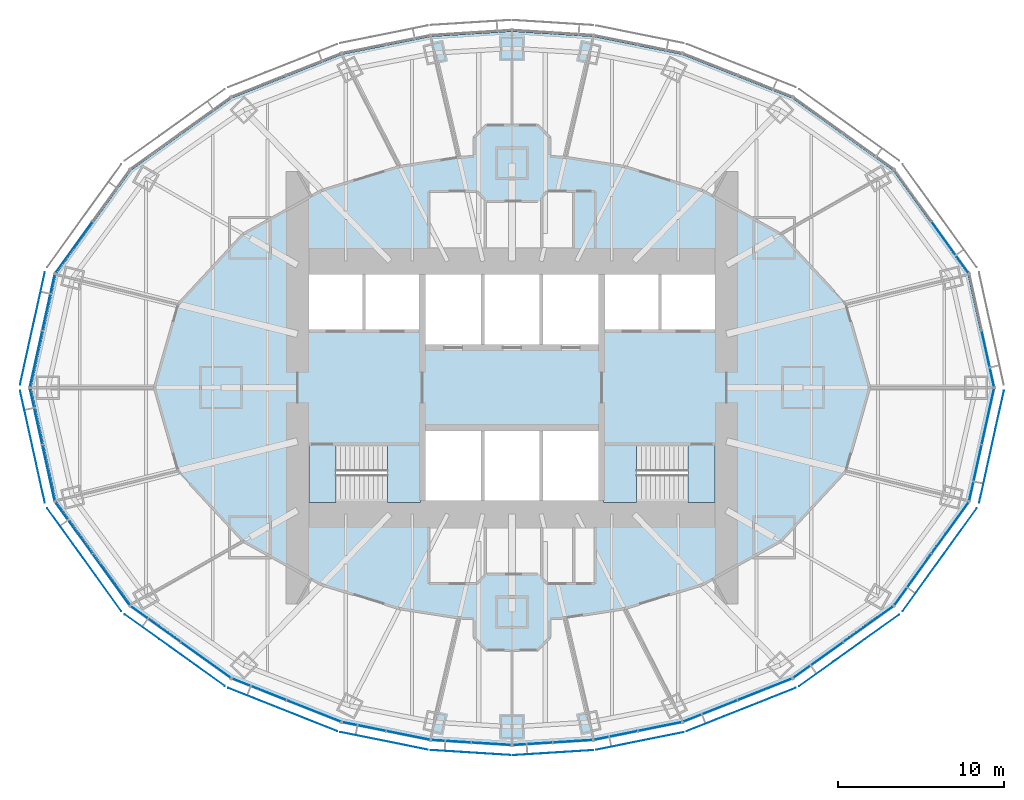
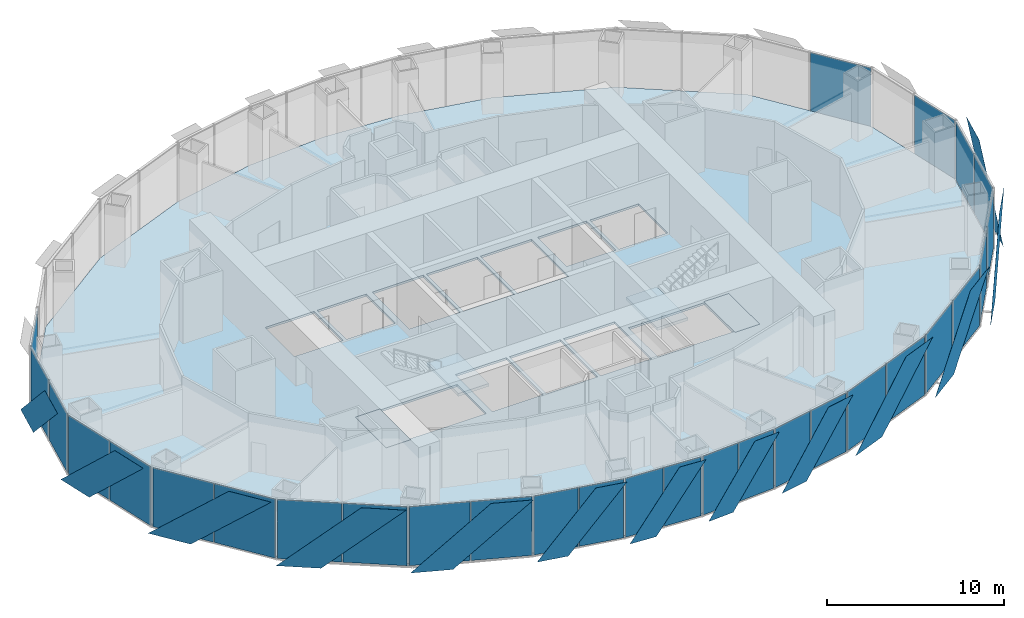
# One storey, part 9 of 17: 42 plates, 5 slabs, 18 elements without a shape of their own.
"""IFC4 building model written with IfcOpenShell, lengths in metres."""

from ifc_helpers import new_model, si_unit, direction, frame, origin, origin_2d, place, context, subcontext, project, spatial, polyline, rectangle, outline, extrude, material, layer, layer_set, type_object, element, aggregate, save


model = new_model("IFC4")

# Units and contexts
model_context = context("Model", 3, precision=1e-05, world=origin(), true_north=direction((0.0, 1.0)))
body_context = subcontext(model_context, "Body", "Model", "MODEL_VIEW")
ifc_project = project(units=[si_unit("LENGTHUNIT", "METRE"), si_unit("AREAUNIT", "SQUARE_METRE"), si_unit("VOLUMEUNIT", "CUBIC_METRE"), si_unit("PLANEANGLEUNIT", "RADIAN"), si_unit("MASSUNIT", "GRAM", prefix="KILO")], contexts=[model_context])

# Site, building, storey
site_placement = place(None, origin())
site = spatial("IfcSite", under=ifc_project, at=site_placement, CompositionType="ELEMENT")
building_placement = place(site_placement, origin())
building = spatial("IfcBuilding", under=site, at=building_placement, Name="Lantaw Convention Tower", CompositionType="ELEMENT")
storey_placement = place(building_placement, frame((0.0, 0.0, 159.39990234375)))
storey = spatial("IfcBuildingStorey", under=building, at=storey_placement, Name="L37", CompositionType="ELEMENT", Elevation=159.39990234375)

# Curtain wall, plate
ifc_material_1 = material(Name="Aluminium framed curtain wall", Category="aluminium")
curtain_wall_type = type_object("IfcCurtainWallType", Name="Office curtain wall low rise, pale aluminium", PredefinedType="USERDEFINED", material=ifc_material_1)
curtain_wall_1_placement = place(storey_placement, origin())
curtain_wall_1 = element("IfcCurtainWall", 1, at=curtain_wall_1_placement, inside=storey, type_object=curtain_wall_type, Name="Office curtain wall low rise, pale aluminium L37", ObjectType="UNITISED CURTAIN WALL", PredefinedType="USERDEFINED")
ifc_material_2 = material(Name="Clear insulating glass", Category="glass")
ifc_layer_1 = layer(ifc_material_2, 0.028076171875)
ifc_layer_set_1 = layer_set([ifc_layer_1], Name="CW-O1 panel 28")
plate_type_1 = type_object("IfcPlateType", Name="CW-O1 panel 28", PredefinedType="CURTAIN_PANEL", material=ifc_layer_set_1)
plate_1_placement = place(storey_placement, frame((28.618408203125, 1.729248046875, -0.0849609375), z_axis=(0.0, 0.0, 1.0), x_axis=(-0.215546166174, 0.9764936509, 0.0)))
plate_1 = element("IfcPlate", 2, at=plate_1_placement, type_object=plate_type_1, Name="CW-O1 panel 1.1", PredefinedType="CURTAIN_PANEL", context=body_context, shape_type="SweptSolid", body=[
    extrude(rectangle(XDim=3.41162109375, YDim=0.028076171875, at=origin_2d()), origin(), (0.0, 0.0, 1.0), 4.070068359375),
])
aggregate(curtain_wall_1, [plate_1])

curtain_wall_2_placement = place(storey_placement, origin())
curtain_wall_2 = element("IfcCurtainWall", 3, at=curtain_wall_2_placement, inside=storey, type_object=curtain_wall_type, Name="Office curtain wall low rise, pale aluminium L37", ObjectType="UNITISED CURTAIN WALL", PredefinedType="USERDEFINED")
plate_2_placement = place(storey_placement, frame((26.34814453125, 8.4345703125, -0.0849609375), z_axis=(0.0, 0.0, 1.0), x_axis=(-0.584512597221, 0.811384633629, 0.0)))
plate_2 = element("IfcPlate", 4, at=plate_2_placement, type_object=plate_type_1, Name="CW-O1 panel 1.1", PredefinedType="CURTAIN_PANEL", context=body_context, shape_type="SweptSolid", body=[
    extrude(rectangle(XDim=3.767333984375, YDim=0.028076171875, at=origin_2d()), origin(), (0.0, 0.0, 1.0), 4.070068359375),
])
aggregate(curtain_wall_2, [plate_2])

curtain_wall_3_placement = place(storey_placement, origin())
curtain_wall_3 = element("IfcCurtainWall", 5, at=curtain_wall_3_placement, inside=storey, type_object=curtain_wall_type, Name="Office curtain wall low rise, pale aluminium L37", ObjectType="UNITISED CURTAIN WALL", PredefinedType="USERDEFINED")
plate_3_placement = place(storey_placement, frame((-26.34814453125, 8.4345703125, -0.0849609375), z_axis=(0.0, 0.0, 1.0), x_axis=(-0.584512597221, -0.811384633629, 0.0)))
plate_3 = element("IfcPlate", 6, at=plate_3_placement, type_object=plate_type_1, Name="CW-O1 panel 2.1", PredefinedType="CURTAIN_PANEL", context=body_context, shape_type="SweptSolid", body=[
    extrude(rectangle(XDim=3.767333984375, YDim=0.028076171875, at=origin_2d()), origin(), (0.0, 0.0, 1.0), 4.070068359375),
])
aggregate(curtain_wall_3, [plate_3])

# Curtain wall, plates
curtain_wall_4_placement = place(storey_placement, origin())
curtain_wall_4 = element("IfcCurtainWall", 7, at=curtain_wall_4_placement, inside=storey, type_object=curtain_wall_type, Name="Office curtain wall low rise, pale aluminium L37", ObjectType="UNITISED CURTAIN WALL", PredefinedType="USERDEFINED")
plate_4_placement = place(storey_placement, frame((-27.868896484375, 5.1240234375, -0.0849609375), z_axis=(0.0, 0.0, 1.0), x_axis=(-0.215546166174, -0.9764936509, 0.0)))
plate_4 = element("IfcPlate", 8, at=plate_4_placement, type_object=plate_type_1, Name="CW-O1 panel 1.1", PredefinedType="CURTAIN_PANEL", context=body_context, shape_type="SweptSolid", body=[
    extrude(rectangle(XDim=3.41162109375, YDim=0.028076171875, at=origin_2d()), origin(), (0.0, 0.0, 1.0), 4.070068359375),
])
plate_5_placement = place(storey_placement, frame((-28.618408203125, 1.729248046875, -0.0849609375), z_axis=(0.0, 0.0, 1.0), x_axis=(-0.215546166174, -0.9764936509, 0.0)))
plate_5 = element("IfcPlate", 9, at=plate_5_placement, type_object=plate_type_1, Name="CW-O1 panel 2.1", PredefinedType="CURTAIN_PANEL", context=body_context, shape_type="SweptSolid", body=[
    extrude(rectangle(XDim=3.41162109375, YDim=0.028076171875, at=origin_2d()), origin(), (0.0, 0.0, 1.0), 4.070068359375),
])
aggregate(curtain_wall_4, [plate_4, plate_5])

curtain_wall_5_placement = place(storey_placement, origin())
curtain_wall_5 = element("IfcCurtainWall", 10, at=curtain_wall_5_placement, inside=storey, type_object=curtain_wall_type, Name="Office curtain wall low rise, pale aluminium L37", ObjectType="UNITISED CURTAIN WALL", PredefinedType="USERDEFINED")
plate_6_placement = place(storey_placement, frame((-28.618408203125, -1.729248046875, -0.0849609375), z_axis=(0.0, 0.0, 1.0), x_axis=(0.215546166174, -0.9764936509, 0.0)))
plate_6 = element("IfcPlate", 11, at=plate_6_placement, type_object=plate_type_1, Name="CW-O1 panel 1.1", PredefinedType="CURTAIN_PANEL", context=body_context, shape_type="SweptSolid", body=[
    extrude(rectangle(XDim=3.41162109375, YDim=0.028076171875, at=origin_2d()), origin(), (0.0, 0.0, 1.0), 4.070068359375),
])
plate_7_placement = place(storey_placement, frame((-27.868896484375, -5.1240234375, -0.0849609375), z_axis=(0.0, 0.0, 1.0), x_axis=(0.215546166174, -0.9764936509, 0.0)))
plate_7 = element("IfcPlate", 12, at=plate_7_placement, type_object=plate_type_1, Name="CW-O1 panel 2.1", PredefinedType="CURTAIN_PANEL", context=body_context, shape_type="SweptSolid", body=[
    extrude(rectangle(XDim=3.41162109375, YDim=0.028076171875, at=origin_2d()), origin(), (0.0, 0.0, 1.0), 4.070068359375),
])
aggregate(curtain_wall_5, [plate_6, plate_7])

curtain_wall_6_placement = place(storey_placement, origin())
curtain_wall_6 = element("IfcCurtainWall", 13, at=curtain_wall_6_placement, inside=storey, type_object=curtain_wall_type, Name="Office curtain wall low rise, pale aluminium L37", ObjectType="UNITISED CURTAIN WALL", PredefinedType="USERDEFINED")
plate_8_placement = place(storey_placement, frame((-26.34814453125, -8.4345703125, -0.0849609375), z_axis=(0.0, 0.0, 1.0), x_axis=(0.584512597221, -0.811384633629, 0.0)))
plate_8 = element("IfcPlate", 14, at=plate_8_placement, type_object=plate_type_1, Name="CW-O1 panel 1.1", PredefinedType="CURTAIN_PANEL", context=body_context, shape_type="SweptSolid", body=[
    extrude(rectangle(XDim=3.767333984375, YDim=0.028076171875, at=origin_2d()), origin(), (0.0, 0.0, 1.0), 4.070068359375),
])
plate_9_placement = place(storey_placement, frame((-24.108154296875, -11.5439453125, -0.0849609375), z_axis=(0.0, 0.0, 1.0), x_axis=(0.584512597221, -0.811384633629, 0.0)))
plate_9 = element("IfcPlate", 15, at=plate_9_placement, type_object=plate_type_1, Name="CW-O1 panel 2.1", PredefinedType="CURTAIN_PANEL", context=body_context, shape_type="SweptSolid", body=[
    extrude(rectangle(XDim=3.767333984375, YDim=0.028076171875, at=origin_2d()), origin(), (0.0, 0.0, 1.0), 4.070068359375),
])
aggregate(curtain_wall_6, [plate_8, plate_9])

curtain_wall_7_placement = place(storey_placement, origin())
curtain_wall_7 = element("IfcCurtainWall", 16, at=curtain_wall_7_placement, inside=storey, type_object=curtain_wall_type, Name="Office curtain wall low rise, pale aluminium L37", ObjectType="UNITISED CURTAIN WALL", PredefinedType="USERDEFINED")
plate_10_placement = place(storey_placement, frame((-21.43408203125, -14.2236328125, -0.0849609375), z_axis=(0.0, 0.0, 1.0), x_axis=(0.813208325995, -0.581972695693, 0.0)))
plate_10 = element("IfcPlate", 17, at=plate_10_placement, type_object=plate_type_1, Name="CW-O1 panel 1.1", PredefinedType="CURTAIN_PANEL", context=body_context, shape_type="SweptSolid", body=[
    extrude(rectangle(XDim=3.645263671875, YDim=0.028076171875, at=origin_2d()), origin(), (0.0, 0.0, 1.0), 4.070068359375),
])
plate_11_placement = place(storey_placement, frame((-18.416748046875, -16.383056640625, -0.0849609375), z_axis=(0.0, 0.0, 1.0), x_axis=(0.813208325995, -0.581972695693, 0.0)))
plate_11 = element("IfcPlate", 18, at=plate_11_placement, type_object=plate_type_1, Name="CW-O1 panel 2.1", PredefinedType="CURTAIN_PANEL", context=body_context, shape_type="SweptSolid", body=[
    extrude(rectangle(XDim=3.645263671875, YDim=0.028076171875, at=origin_2d()), origin(), (0.0, 0.0, 1.0), 4.070068359375),
])
aggregate(curtain_wall_7, [plate_10, plate_11])

curtain_wall_8_placement = place(storey_placement, origin())
curtain_wall_8 = element("IfcCurtainWall", 19, at=curtain_wall_8_placement, inside=storey, type_object=curtain_wall_type, Name="Office curtain wall low rise, pale aluminium L37", ObjectType="UNITISED CURTAIN WALL", PredefinedType="USERDEFINED")
plate_12_placement = place(storey_placement, frame((-15.208251953125, -18.145263671875, -0.0849609375), z_axis=(0.0, 0.0, 1.0), x_axis=(0.929547687544, -0.368701907483, 0.0)))
plate_12 = element("IfcPlate", 20, at=plate_12_placement, type_object=plate_type_1, Name="CW-O1 panel 1.1", PredefinedType="CURTAIN_PANEL", context=body_context, shape_type="SweptSolid", body=[
    extrude(rectangle(XDim=3.470703125, YDim=0.028076171875, at=origin_2d()), origin(), (0.0, 0.0, 1.0), 4.070068359375),
])
plate_13_placement = place(storey_placement, frame((-11.921630859375, -19.448974609375, -0.0849609375), z_axis=(0.0, 0.0, 1.0), x_axis=(0.929547687544, -0.368701907483, 0.0)))
plate_13 = element("IfcPlate", 21, at=plate_13_placement, type_object=plate_type_1, Name="CW-O1 panel 2.1", PredefinedType="CURTAIN_PANEL", context=body_context, shape_type="SweptSolid", body=[
    extrude(rectangle(XDim=3.470703125, YDim=0.028076171875, at=origin_2d()), origin(), (0.0, 0.0, 1.0), 4.070068359375),
])
aggregate(curtain_wall_8, [plate_12, plate_13])

curtain_wall_9_placement = place(storey_placement, origin())
curtain_wall_9 = element("IfcCurtainWall", 22, at=curtain_wall_9_placement, inside=storey, type_object=curtain_wall_type, Name="Office curtain wall low rise, pale aluminium L37", ObjectType="UNITISED CURTAIN WALL", PredefinedType="USERDEFINED")
plate_14_placement = place(storey_placement, frame((-8.893310546875, -20.3857421875, -0.0849609375), z_axis=(0.0, 0.0, 1.0), x_axis=(0.980301514912, -0.197506809659, 0.0)))
plate_14 = element("IfcPlate", 23, at=plate_14_placement, type_object=plate_type_1, Name="CW-O1 panel 1.1", PredefinedType="CURTAIN_PANEL", context=body_context, shape_type="SweptSolid", body=[
    extrude(rectangle(XDim=2.634033203125, YDim=0.028076171875, at=origin_2d()), origin(), (0.0, 0.0, 1.0), 4.070068359375),
])
plate_15_placement = place(storey_placement, frame((-6.247314453125, -20.9189453125, -0.0849609375), z_axis=(0.0, 0.0, 1.0), x_axis=(0.980301514912, -0.197506809659, 0.0)))
plate_15 = element("IfcPlate", 24, at=plate_15_placement, type_object=plate_type_1, Name="CW-O1 panel 2.1", PredefinedType="CURTAIN_PANEL", context=body_context, shape_type="SweptSolid", body=[
    extrude(rectangle(XDim=2.634033203125, YDim=0.028076171875, at=origin_2d()), origin(), (0.0, 0.0, 1.0), 4.070068359375),
])
aggregate(curtain_wall_9, [plate_14, plate_15])

curtain_wall_10_placement = place(storey_placement, origin())
curtain_wall_10 = element("IfcCurtainWall", 25, at=curtain_wall_10_placement, inside=storey, type_object=curtain_wall_type, Name="Office curtain wall low rise, pale aluminium L37", ObjectType="UNITISED CURTAIN WALL", PredefinedType="USERDEFINED")
plate_16_placement = place(storey_placement, frame((-3.653076171875, -21.269775390625, -0.0849609375), z_axis=(0.0, 0.0, 1.0), x_axis=(0.998022035978, -0.062865059466, 0.0)))
plate_16 = element("IfcPlate", 26, at=plate_16_placement, type_object=plate_type_1, Name="CW-O1 panel 1.1", PredefinedType="CURTAIN_PANEL", context=body_context, shape_type="SweptSolid", body=[
    extrude(rectangle(XDim=2.353515625, YDim=0.028076171875, at=origin_2d()), origin(), (0.0, 0.0, 1.0), 4.070068359375),
])
plate_17_placement = place(storey_placement, frame((-1.2392578125, -21.421875, -0.0849609375), z_axis=(0.0, 0.0, 1.0), x_axis=(0.998022035978, -0.062865059466, 0.0)))
plate_17 = element("IfcPlate", 27, at=plate_17_placement, type_object=plate_type_1, Name="CW-O1 panel 2.1", PredefinedType="CURTAIN_PANEL", context=body_context, shape_type="SweptSolid", body=[
    extrude(rectangle(XDim=2.353515625, YDim=0.028076171875, at=origin_2d()), origin(), (0.0, 0.0, 1.0), 4.070068359375),
])
aggregate(curtain_wall_10, [plate_16, plate_17])

curtain_wall_11_placement = place(storey_placement, origin())
curtain_wall_11 = element("IfcCurtainWall", 28, at=curtain_wall_11_placement, inside=storey, type_object=curtain_wall_type, Name="Office curtain wall low rise, pale aluminium L37", ObjectType="UNITISED CURTAIN WALL", PredefinedType="USERDEFINED")
plate_18_placement = place(storey_placement, frame((1.2392578125, -21.421875, -0.0849609375), z_axis=(0.0, 0.0, 1.0), x_axis=(0.998022035978, 0.062865059466, 0.0)))
plate_18 = element("IfcPlate", 29, at=plate_18_placement, type_object=plate_type_1, Name="CW-O1 panel 1.1", PredefinedType="CURTAIN_PANEL", context=body_context, shape_type="SweptSolid", body=[
    extrude(rectangle(XDim=2.353515625, YDim=0.028076171875, at=origin_2d()), origin(), (0.0, 0.0, 1.0), 4.070068359375),
])
plate_19_placement = place(storey_placement, frame((3.653076171875, -21.269775390625, -0.0849609375), z_axis=(0.0, 0.0, 1.0), x_axis=(0.998022035978, 0.062865059466, 0.0)))
plate_19 = element("IfcPlate", 30, at=plate_19_placement, type_object=plate_type_1, Name="CW-O1 panel 2.1", PredefinedType="CURTAIN_PANEL", context=body_context, shape_type="SweptSolid", body=[
    extrude(rectangle(XDim=2.353515625, YDim=0.028076171875, at=origin_2d()), origin(), (0.0, 0.0, 1.0), 4.070068359375),
])
aggregate(curtain_wall_11, [plate_18, plate_19])

curtain_wall_12_placement = place(storey_placement, origin())
curtain_wall_12 = element("IfcCurtainWall", 31, at=curtain_wall_12_placement, inside=storey, type_object=curtain_wall_type, Name="Office curtain wall low rise, pale aluminium L37", ObjectType="UNITISED CURTAIN WALL", PredefinedType="USERDEFINED")
plate_20_placement = place(storey_placement, frame((6.247314453125, -20.9189453125, -0.0849609375), z_axis=(0.0, 0.0, 1.0), x_axis=(0.980301514912, 0.197506809659, 0.0)))
plate_20 = element("IfcPlate", 32, at=plate_20_placement, type_object=plate_type_1, Name="CW-O1 panel 1.1", PredefinedType="CURTAIN_PANEL", context=body_context, shape_type="SweptSolid", body=[
    extrude(rectangle(XDim=2.634033203125, YDim=0.028076171875, at=origin_2d()), origin(), (0.0, 0.0, 1.0), 4.070068359375),
])
plate_21_placement = place(storey_placement, frame((8.893310546875, -20.3857421875, -0.0849609375), z_axis=(0.0, 0.0, 1.0), x_axis=(0.980301514912, 0.197506809659, 0.0)))
plate_21 = element("IfcPlate", 33, at=plate_21_placement, type_object=plate_type_1, Name="CW-O1 panel 2.1", PredefinedType="CURTAIN_PANEL", context=body_context, shape_type="SweptSolid", body=[
    extrude(rectangle(XDim=2.634033203125, YDim=0.028076171875, at=origin_2d()), origin(), (0.0, 0.0, 1.0), 4.070068359375),
])
aggregate(curtain_wall_12, [plate_20, plate_21])

curtain_wall_13_placement = place(storey_placement, origin())
curtain_wall_13 = element("IfcCurtainWall", 34, at=curtain_wall_13_placement, inside=storey, type_object=curtain_wall_type, Name="Office curtain wall low rise, pale aluminium L37", ObjectType="UNITISED CURTAIN WALL", PredefinedType="USERDEFINED")
plate_22_placement = place(storey_placement, frame((11.921630859375, -19.448974609375, -0.0849609375), z_axis=(0.0, 0.0, 1.0), x_axis=(0.929547687544, 0.368701907483, 0.0)))
plate_22 = element("IfcPlate", 35, at=plate_22_placement, type_object=plate_type_1, Name="CW-O1 panel 1.1", PredefinedType="CURTAIN_PANEL", context=body_context, shape_type="SweptSolid", body=[
    extrude(rectangle(XDim=3.470703125, YDim=0.028076171875, at=origin_2d()), origin(), (0.0, 0.0, 1.0), 4.070068359375),
])
plate_23_placement = place(storey_placement, frame((15.208251953125, -18.145263671875, -0.0849609375), z_axis=(0.0, 0.0, 1.0), x_axis=(0.929547687544, 0.368701907483, 0.0)))
plate_23 = element("IfcPlate", 36, at=plate_23_placement, type_object=plate_type_1, Name="CW-O1 panel 2.1", PredefinedType="CURTAIN_PANEL", context=body_context, shape_type="SweptSolid", body=[
    extrude(rectangle(XDim=3.470703125, YDim=0.028076171875, at=origin_2d()), origin(), (0.0, 0.0, 1.0), 4.070068359375),
])
aggregate(curtain_wall_13, [plate_22, plate_23])

curtain_wall_14_placement = place(storey_placement, origin())
curtain_wall_14 = element("IfcCurtainWall", 37, at=curtain_wall_14_placement, inside=storey, type_object=curtain_wall_type, Name="Office curtain wall low rise, pale aluminium L37", ObjectType="UNITISED CURTAIN WALL", PredefinedType="USERDEFINED")
plate_24_placement = place(storey_placement, frame((18.416748046875, -16.383056640625, -0.0849609375), z_axis=(0.0, 0.0, 1.0), x_axis=(0.813208325995, 0.581972695693, 0.0)))
plate_24 = element("IfcPlate", 38, at=plate_24_placement, type_object=plate_type_1, Name="CW-O1 panel 1.1", PredefinedType="CURTAIN_PANEL", context=body_context, shape_type="SweptSolid", body=[
    extrude(rectangle(XDim=3.645263671875, YDim=0.028076171875, at=origin_2d()), origin(), (0.0, 0.0, 1.0), 4.070068359375),
])
plate_25_placement = place(storey_placement, frame((21.43408203125, -14.2236328125, -0.0849609375), z_axis=(0.0, 0.0, 1.0), x_axis=(0.813208325995, 0.581972695693, 0.0)))
plate_25 = element("IfcPlate", 39, at=plate_25_placement, type_object=plate_type_1, Name="CW-O1 panel 2.1", PredefinedType="CURTAIN_PANEL", context=body_context, shape_type="SweptSolid", body=[
    extrude(rectangle(XDim=3.645263671875, YDim=0.028076171875, at=origin_2d()), origin(), (0.0, 0.0, 1.0), 4.070068359375),
])
aggregate(curtain_wall_14, [plate_24, plate_25])

curtain_wall_15_placement = place(storey_placement, origin())
curtain_wall_15 = element("IfcCurtainWall", 40, at=curtain_wall_15_placement, inside=storey, type_object=curtain_wall_type, Name="Office curtain wall low rise, pale aluminium L37", ObjectType="UNITISED CURTAIN WALL", PredefinedType="USERDEFINED")
plate_26_placement = place(storey_placement, frame((24.108154296875, -11.5439453125, -0.0849609375), z_axis=(0.0, 0.0, 1.0), x_axis=(0.584512597221, 0.811384633629, 0.0)))
plate_26 = element("IfcPlate", 41, at=plate_26_placement, type_object=plate_type_1, Name="CW-O1 panel 1.1", PredefinedType="CURTAIN_PANEL", context=body_context, shape_type="SweptSolid", body=[
    extrude(rectangle(XDim=3.767333984375, YDim=0.028076171875, at=origin_2d()), origin(), (0.0, 0.0, 1.0), 4.070068359375),
])
plate_27_placement = place(storey_placement, frame((26.34814453125, -8.4345703125, -0.0849609375), z_axis=(0.0, 0.0, 1.0), x_axis=(0.584512597221, 0.811384633629, 0.0)))
plate_27 = element("IfcPlate", 42, at=plate_27_placement, type_object=plate_type_1, Name="CW-O1 panel 2.1", PredefinedType="CURTAIN_PANEL", context=body_context, shape_type="SweptSolid", body=[
    extrude(rectangle(XDim=3.767333984375, YDim=0.028076171875, at=origin_2d()), origin(), (0.0, 0.0, 1.0), 4.070068359375),
])
aggregate(curtain_wall_15, [plate_26, plate_27])

curtain_wall_16_placement = place(storey_placement, origin())
curtain_wall_16 = element("IfcCurtainWall", 43, at=curtain_wall_16_placement, inside=storey, type_object=curtain_wall_type, Name="Office curtain wall low rise, pale aluminium L37", ObjectType="UNITISED CURTAIN WALL", PredefinedType="USERDEFINED")
plate_28_placement = place(storey_placement, frame((27.868896484375, -5.1240234375, -0.0849609375), z_axis=(0.0, 0.0, 1.0), x_axis=(0.215546166174, 0.9764936509, 0.0)))
plate_28 = element("IfcPlate", 44, at=plate_28_placement, type_object=plate_type_1, Name="CW-O1 panel 1.1", PredefinedType="CURTAIN_PANEL", context=body_context, shape_type="SweptSolid", body=[
    extrude(rectangle(XDim=3.41162109375, YDim=0.028076171875, at=origin_2d()), origin(), (0.0, 0.0, 1.0), 4.070068359375),
])
plate_29_placement = place(storey_placement, frame((28.618408203125, -1.729248046875, -0.0849609375), z_axis=(0.0, 0.0, 1.0), x_axis=(0.215546166174, 0.9764936509, 0.0)))
plate_29 = element("IfcPlate", 45, at=plate_29_placement, type_object=plate_type_1, Name="CW-O1 panel 2.1", PredefinedType="CURTAIN_PANEL", context=body_context, shape_type="SweptSolid", body=[
    extrude(rectangle(XDim=3.41162109375, YDim=0.028076171875, at=origin_2d()), origin(), (0.0, 0.0, 1.0), 4.070068359375),
])
aggregate(curtain_wall_16, [plate_28, plate_29])

# Slab
ifc_material_3 = material(Name="Concrete C35/45", Category="concrete")
ifc_layer_2 = layer(ifc_material_3, 0.14990234375)
ifc_layer_set_2 = layer_set([ifc_layer_2], Name="Floor slab 150")
slab_type_1 = type_object("IfcSlabType", Name="Floor slab 150", PredefinedType="FLOOR", material=ifc_layer_set_2)
slab_1_placement = place(storey_placement, frame((0.0, 0.0, -0.14990234375)))
element("IfcSlab", 46, at=slab_1_placement, inside=storey, type_object=slab_type_1, Name="L37 floor slab", PredefinedType="FLOOR", context=body_context, shape_type="SweptSolid", body=[
    extrude(outline(polyline([(27.417236328125, -6.822021484375), (28.923095703125, 0.0), (27.417236328125, 6.822021484375), (22.915283203125, 13.0712890625), (16.845458984375, 17.415283203125), (10.2265625, 20.04052734375), (4.8828125, 21.1171875), (0.0, 21.4248046875), (-4.8828125, 21.1171875), (-10.2265625, 20.04052734375), (-16.845458984375, 17.415283203125), (-22.915283203125, 13.0712890625), (-27.417236328125, 6.822021484375), (-28.923095703125, 0.0), (-27.417236328125, -6.822021484375), (-22.915283203125, -13.0712890625), (-16.845458984375, -17.415283203125), (-10.2265625, -20.04052734375), (-4.8828125, -21.1171875), (0.0, -21.4248046875), (4.8828125, -21.1171875), (10.2265625, -20.04052734375), (16.845458984375, -17.415283203125), (22.915283203125, -13.0712890625), (27.417236328125, -6.822021484375)]), holes=[polyline([(-5.60009765625, -3.5), (-12.199951171875, -3.5), (-12.199951171875, -6.800048828125), (-5.60009765625, -6.800048828125), (-5.60009765625, -3.5)]), polyline([(-1.86669921875, -6.800048828125), (-1.86669921875, -2.60009765625), (-5.199951171875, -2.60009765625), (-5.199951171875, -6.800048828125), (-1.86669921875, -6.800048828125)]), polyline([(-1.86669921875, 2.60009765625), (-1.86669921875, 6.800048828125), (-5.199951171875, 6.800048828125), (-5.199951171875, 2.60009765625), (-1.86669921875, 2.60009765625)]), polyline([(1.666748046875, 6.800048828125), (-1.666748046875, 6.800048828125), (-1.666748046875, 2.60009765625), (1.666748046875, 2.60009765625), (1.666748046875, 6.800048828125)]), polyline([(-9.0, 3.5), (-9.0, 6.800048828125), (-12.199951171875, 6.800048828125), (-12.199951171875, 3.5), (-9.0, 3.5)]), polyline([(-5.60009765625, 3.5), (-5.60009765625, 6.800048828125), (-8.800048828125, 6.800048828125), (-8.800048828125, 3.5), (-5.60009765625, 3.5)]), polyline([(12.199951171875, -3.5), (5.60009765625, -3.5), (5.60009765625, -6.800048828125), (12.199951171875, -6.800048828125), (12.199951171875, -3.5)]), polyline([(1.666748046875, -6.800048828125), (1.666748046875, -2.60009765625), (-1.666748046875, -2.60009765625), (-1.666748046875, -6.800048828125), (1.666748046875, -6.800048828125)]), polyline([(5.199951171875, -6.800048828125), (5.199951171875, -2.60009765625), (1.86669921875, -2.60009765625), (1.86669921875, -6.800048828125), (5.199951171875, -6.800048828125)]), polyline([(5.199951171875, 6.800048828125), (1.86669921875, 6.800048828125), (1.86669921875, 2.60009765625), (5.199951171875, 2.60009765625), (5.199951171875, 6.800048828125)]), polyline([(8.800048828125, 3.5), (8.800048828125, 6.800048828125), (5.60009765625, 6.800048828125), (5.60009765625, 3.5), (8.800048828125, 3.5)]), polyline([(12.199951171875, 3.5), (12.199951171875, 6.800048828125), (9.0, 6.800048828125), (9.0, 3.5), (12.199951171875, 3.5)])]), origin(), (0.0, 0.0, 1.0), 0.14990234375),
])

# Plates
ifc_material_4 = material(Name="Perforated aluminium sheet, pale silver finish", Category="aluminium")
ifc_layer_3 = layer(ifc_material_4, 0.006103515625)
ifc_layer_set_3 = layer_set([ifc_layer_3], Name="Perforated aluminium solar SCREEN panel")
plate_type_2 = type_object("IfcPlateType", Name="Perforated aluminium solar SCREEN panel", PredefinedType="SHEET", material=ifc_layer_set_3)
plate_30_placement = place(storey_placement, frame((-28.08984375, 6.93505859375, -0.1748046875), z_axis=(0.976497812463, -0.215527309509, 3.3329045e-05), x_axis=(-0.215527309629, -0.976497813005, -1.665e-09)))
element("IfcPlate", 47, at=plate_30_placement, inside=storey, type_object=plate_type_2, Name="Solar SCREEN panel", PredefinedType="SHEET", context=body_context, shape_type="SweptSolid", body=[
    extrude(outline(polyline([(0.0, 0.0), (2.386131748388921, -3.3881317890172014e-21), (6.918240176095255, -4.339843763929156), (4.532055808734257, -4.33984375598333), (0.0, 0.0)])), origin(), (0.0, 0.0, -1.0), 0.006103515625),
])
plate_31_placement = place(storey_placement, frame((-29.5810546875, -0.179443359375, -0.1748046875), z_axis=(-0.976497812463, -0.215527309509, 3.3329045e-05), x_axis=(0.215527309629, -0.976497813005, 1.665e-09)))
element("IfcPlate", 48, at=plate_31_placement, inside=storey, type_object=plate_type_2, Name="Solar SCREEN panel", PredefinedType="SHEET", context=body_context, shape_type="SweptSolid", body=[
    extrude(outline(polyline([(0.0, 0.0), (2.3861843673609986, 0.0), (6.918240190546627, 4.339843740891906), (4.532108442157707, 4.339843748837556), (0.0, 0.0)])), origin(), (0.0, 0.0, -1.0), 0.006103515625),
])
plate_32_placement = place(storey_placement, frame((-27.94970703125, -7.248046875, -0.1748046875), z_axis=(-0.81139512159, -0.584498037099, 3.5888803e-05), x_axis=(0.584498037475, -0.811395122112, -9.74e-10)))
element("IfcPlate", 49, at=plate_32_placement, inside=storey, type_object=plate_type_2, Name="Solar SCREEN panel", PredefinedType="SHEET", context=body_context, shape_type="SweptSolid", body=[
    extrude(outline(polyline([(0.0, 0.0), (2.628222178575422, -6.776263578034403e-21), (7.629778257969264, 4.339843760228519), (5.001754173906077, 4.339843755107391), (0.0, 0.0)])), origin(), (0.0, 0.0, -1.0), 0.006103515625),
])
plate_33_placement = place(storey_placement, frame((-23.281005859375, -13.64697265625, -0.1748046875), z_axis=(-0.582000183937, -0.813188653244, 1.1537794e-05), x_axis=(0.813188653298, -0.582000183975, 0.0)))
element("IfcPlate", 50, at=plate_33_placement, inside=storey, type_object=plate_type_2, Name="Solar SCREEN panel", PredefinedType="SHEET", context=body_context, shape_type="SweptSolid", body=[
    extrude(outline(polyline([(0.0, 0.0), (2.5450183911586484, 1.6940658945086007e-21), (7.385531276904658, 4.339843750288861), (4.840512885746009, 4.339843750288861), (0.0, 0.0)])), origin(), (0.0, 0.0, -1.0), 0.006103515625),
])
plate_34_placement = place(storey_placement, frame((-17.05859375, -18.063232421875, -0.1748046875), z_axis=(0.368708915367, 0.929544907797, 1.0867661e-05), x_axis=(0.929544907851, -0.368708915389, 7.1e-10)))
element("IfcPlate", 51, at=plate_34_placement, inside=storey, type_object=plate_type_2, Name="Solar SCREEN panel", PredefinedType="SHEET", context=body_context, shape_type="SweptSolid", body=[
    extrude(outline(polyline([(0.0, 0.0), (2.4263803793049097, 0.0), (7.036549629566982, -4.339843745261612), (4.61003232741235, -4.339843748706285), (0.0, 0.0)])), origin(), (0.0, 0.0, -1.0), 0.006103515625),
])
plate_35_placement = place(storey_placement, frame((-10.318603515625, -20.716796875, -0.1748046875), z_axis=(-0.197556725442, -0.980291455983, 3.9485719e-05), x_axis=(0.980291456747, -0.197556725596, 0.0)))
element("IfcPlate", 52, at=plate_35_placement, inside=storey, type_object=plate_type_2, Name="Solar SCREEN panel", PredefinedType="SHEET", context=body_context, shape_type="SweptSolid", body=[
    extrude(outline(polyline([(0.0, 0.0), (1.8574075788555457, 1.6940658945086007e-21), (5.362987026845185, 4.339843753383173), (3.505579447989639, 4.339843753383173), (0.0, 0.0)])), origin(), (0.0, 0.0, -1.0), 0.006103515625),
])
plate_36_placement = place(storey_placement, frame((-4.880615234375, -21.7998046875, -0.1748046875), z_axis=(-0.062838799866, -0.998023689713, 1.755158e-06), x_axis=(0.998023689715, -0.062838799866, -8e-12)))
element("IfcPlate", 53, at=plate_36_placement, inside=storey, type_object=plate_type_2, Name="Solar SCREEN panel", PredefinedType="SHEET", context=body_context, shape_type="SweptSolid", body=[
    extrude(outline(polyline([(0.0, 0.0), (1.6666243269452135, 2.6469779601696886e-23), (4.802214797186689, 4.339843750045478), (3.135346812114104, 4.33984375001855), (0.0, 0.0)])), origin(), (0.0, 0.0, -1.0), 0.006103515625),
])
plate_37_placement = place(storey_placement, frame((0.087890625, -22.1015625, -0.1748046875), z_axis=(-0.062838799866, 0.998023689713, 1.755158e-06), x_axis=(0.998023689715, 0.062838799866, 8e-12)))
element("IfcPlate", 54, at=plate_37_placement, inside=storey, type_object=plate_type_2, Name="Solar SCREEN panel", PredefinedType="SHEET", context=body_context, shape_type="SweptSolid", body=[
    extrude(outline(polyline([(0.0, 0.0), (1.6668679850725854, -5.293955920339377e-23), (4.802214797256801, -4.339843749967897), (3.1355904703115876, -4.339843749994822), (0.0, 0.0)])), origin(), (0.0, 0.0, -1.0), 0.006103515625),
])
plate_38_placement = place(storey_placement, frame((5.061279296875, -21.776123046875, -0.1748046875), z_axis=(-0.197556725442, 0.980291455983, 3.9485719e-05), x_axis=(0.980291456747, 0.197556725596, 0.0)))
element("IfcPlate", 55, at=plate_38_placement, inside=storey, type_object=plate_type_2, Name="Solar SCREEN panel", PredefinedType="SHEET", context=body_context, shape_type="SweptSolid", body=[
    extrude(outline(polyline([(0.0, 0.0), (1.8574075788555457, -1.6940658945086007e-21), (5.362987026845185, -4.339843753383173), (3.505579447989639, -4.339843753383173), (0.0, 0.0)])), origin(), (0.0, 0.0, -1.0), 0.006103515625),
])
plate_39_placement = place(storey_placement, frame((10.517822265625, -20.65771484375, -0.1748046875), z_axis=(0.368708915367, -0.929544907797, 1.0867661e-05), x_axis=(0.929544907851, 0.368708915389, -7.1e-10)))
element("IfcPlate", 56, at=plate_39_placement, inside=storey, type_object=plate_type_2, Name="Solar SCREEN panel", PredefinedType="SHEET", context=body_context, shape_type="SweptSolid", body=[
    extrude(outline(polyline([(0.0, 0.0), (2.426517302154632, 1.6940658945086007e-21), (7.036549623406159, 4.339843755250667), (4.610169244101249, 4.339843751806188), (0.0, 0.0)])), origin(), (0.0, 0.0, -1.0), 0.006103515625),
])
plate_40_placement = place(storey_placement, frame((17.275146484375, -17.9453125, -0.1748046875), z_axis=(-0.582000183937, 0.813188653244, 1.1537794e-05), x_axis=(0.813188653298, 0.582000183975, 0.0)))
element("IfcPlate", 57, at=plate_40_placement, inside=storey, type_object=plate_type_2, Name="Solar SCREEN panel", PredefinedType="SHEET", context=body_context, shape_type="SweptSolid", body=[
    extrude(outline(polyline([(0.0, 0.0), (2.5450183911586484, -1.6940658945086007e-21), (7.385531276904658, -4.339843750288861), (4.840512885746009, -4.339843750288861), (0.0, 0.0)])), origin(), (0.0, 0.0, -1.0), 0.006103515625),
])
plate_41_placement = place(storey_placement, frame((23.489990234375, -13.438720703125, -0.1748046875), z_axis=(-0.81139512159, 0.584498037099, 3.5888803e-05), x_axis=(0.584498037475, 0.811395122112, 9.74e-10)))
element("IfcPlate", 58, at=plate_41_placement, inside=storey, type_object=plate_type_2, Name="Solar SCREEN panel", PredefinedType="SHEET", context=body_context, shape_type="SweptSolid", body=[
    extrude(outline(polyline([(0.0, 0.0), (2.6280240840631874, 6.776263578034403e-21), (7.62977826642615, -4.339843745360666), (5.001556087850728, -4.3398437504821805), (0.0, 0.0)])), origin(), (0.0, 0.0, -1.0), 0.006103515625),
])
plate_42_placement = place(storey_placement, frame((28.08984375, -6.93505859375, -0.1748046875), z_axis=(-0.976497812463, 0.215527309509, 3.3329045e-05), x_axis=(0.215527309629, 0.976497813005, -1.665e-09)))
element("IfcPlate", 59, at=plate_42_placement, inside=storey, type_object=plate_type_2, Name="Solar SCREEN panel", PredefinedType="SHEET", context=body_context, shape_type="SweptSolid", body=[
    extrude(outline(polyline([(0.0, 0.0), (2.386131748388921, -3.3881317890172014e-21), (6.918240176095255, -4.339843763929156), (4.532055808734257, -4.33984375598333), (0.0, 0.0)])), origin(), (0.0, 0.0, -1.0), 0.006103515625),
])

# Stair, slabs
stair_type = type_object("IfcStairType", Name="Exit stair 1500 riser 175 in 2 flights", PredefinedType="HALF_TURN_STAIR", material=ifc_material_3)
stair_1_placement = place(storey_placement, origin())
stair_1 = element("IfcStair", 60, at=stair_1_placement, inside=storey, type_object=stair_type, Name="Exit stair S1 L37", PredefinedType="HALF_TURN_STAIR")
ifc_layer_4 = layer(ifc_material_3, 0.199951171875)
ifc_layer_set_4 = layer_set([ifc_layer_4], Name="Stair landing 200")
slab_type_2 = type_object("IfcSlabType", Name="Stair landing 200", PredefinedType="LANDING", material=ifc_layer_set_4)
slab_2_placement = place(storey_placement, frame((0.0, 0.0, -0.199951171875)))
slab_2 = element("IfcSlab", 61, at=slab_2_placement, type_object=slab_type_2, Name="S1 landing 1", PredefinedType="LANDING", context=body_context, shape_type="SweptSolid", body=[
    extrude(outline(polyline([(-12.199951171875, -6.89990234375), (-10.580078125, -6.89990234375), (-10.580078125, -3.39990234375), (-12.199951171875, -3.39990234375), (-12.199951171875, -6.89990234375)])), origin(), (0.0, 0.0, 1.0), 0.199951171875),
])
slab_3_placement = place(storey_placement, frame((0.0, 0.0, 1.900146484375)))
slab_3 = element("IfcSlab", 62, at=slab_3_placement, type_object=slab_type_2, Name="S1 landing 2", PredefinedType="LANDING", context=body_context, shape_type="SweptSolid", body=[
    extrude(outline(polyline([(-7.5, -6.89990234375), (-5.5, -6.89990234375), (-5.5, -3.39990234375), (-7.5, -3.39990234375), (-7.5, -6.89990234375)])), origin(), (0.0, 0.0, 1.0), 0.199951171875),
])
aggregate(stair_1, [slab_2, slab_3])

stair_2_placement = place(storey_placement, origin())
stair_2 = element("IfcStair", 63, at=stair_2_placement, inside=storey, type_object=stair_type, Name="Exit stair S2 L37", PredefinedType="HALF_TURN_STAIR")
slab_4_placement = place(storey_placement, frame((0.0, 0.0, -0.199951171875)))
slab_4 = element("IfcSlab", 64, at=slab_4_placement, type_object=slab_type_2, Name="S2 landing 1", PredefinedType="LANDING", context=body_context, shape_type="SweptSolid", body=[
    extrude(outline(polyline([(10.580078125, -6.89990234375), (12.199951171875, -6.89990234375), (12.199951171875, -3.39990234375), (10.580078125, -3.39990234375), (10.580078125, -6.89990234375)])), origin(), (0.0, 0.0, 1.0), 0.199951171875),
])
slab_5_placement = place(storey_placement, frame((0.0, 0.0, 1.900146484375)))
slab_5 = element("IfcSlab", 65, at=slab_5_placement, type_object=slab_type_2, Name="S2 landing 2", PredefinedType="LANDING", context=body_context, shape_type="SweptSolid", body=[
    extrude(outline(polyline([(5.5, -6.89990234375), (7.5, -6.89990234375), (7.5, -3.39990234375), (5.5, -3.39990234375), (5.5, -6.89990234375)])), origin(), (0.0, 0.0, 1.0), 0.199951171875),
])
aggregate(stair_2, [slab_4, slab_5])

save(model, "model.ifc")
